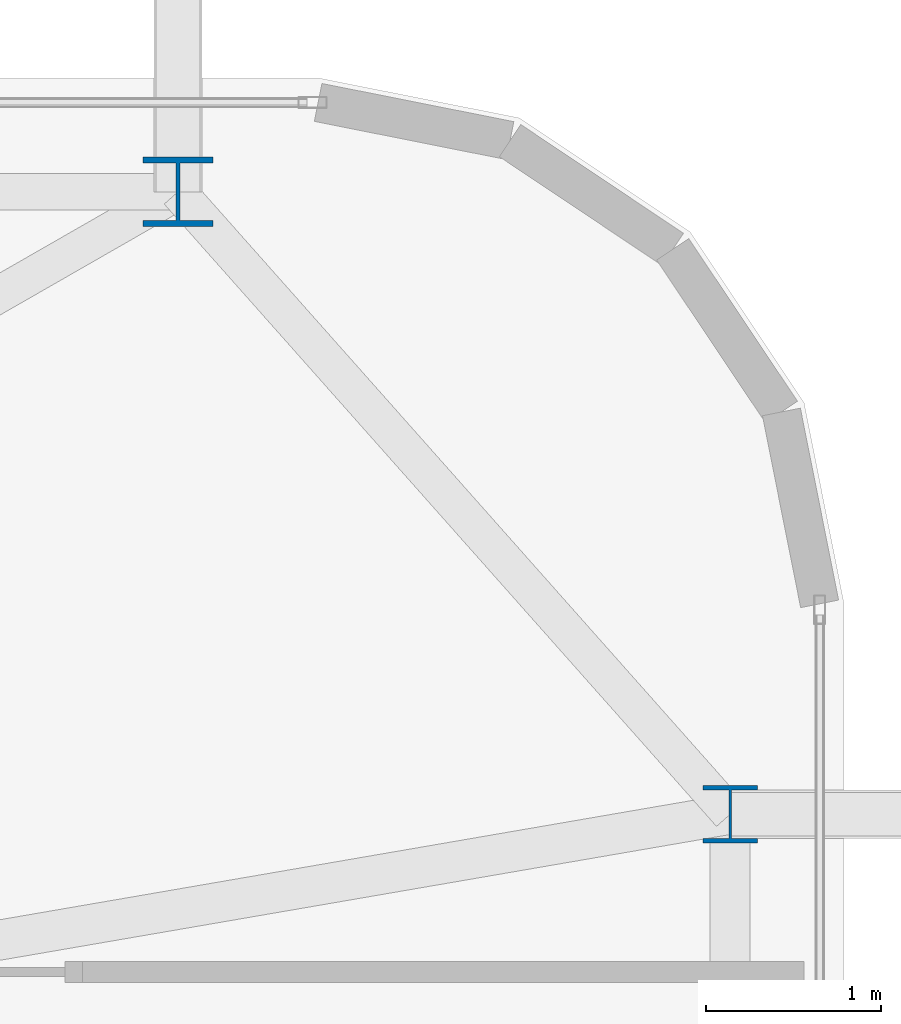
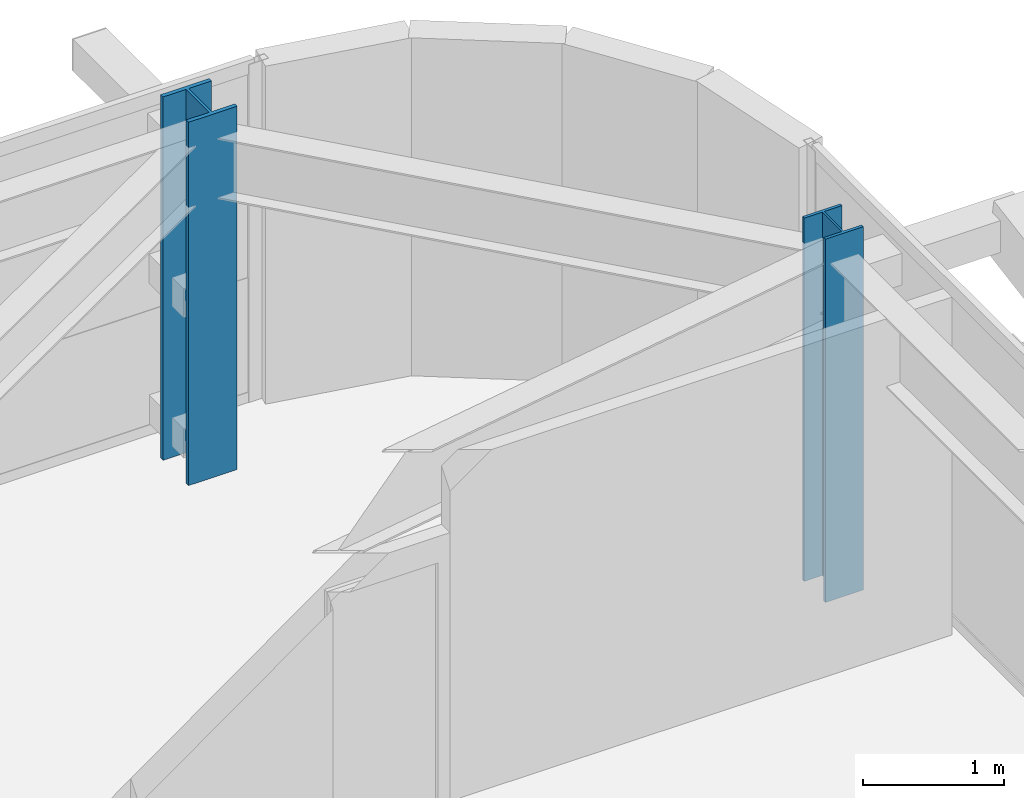
# One storey, part 4 of 59: 2 columns.
"""IFC4 building model written with IfcOpenShell, lengths in metres."""

from ifc_helpers import new_model, si_unit, direction, frame, origin, origin_2d, place, context, subcontext, project, spatial, i_section, extrude, source, transform, mapped, material, material_profile, profile_set, type_object, element, save


model = new_model("IFC4")

# Units and contexts
model_context = context("Model", 3, precision=1e-05, world=origin(), true_north=direction((0.0, 1.0)))
body_context = subcontext(model_context, "Body", "Model", "MODEL_VIEW")
ifc_project = project(units=[si_unit("LENGTHUNIT", "METRE"), si_unit("AREAUNIT", "SQUARE_METRE"), si_unit("VOLUMEUNIT", "CUBIC_METRE"), si_unit("PLANEANGLEUNIT", "RADIAN"), si_unit("MASSUNIT", "GRAM", prefix="KILO")], contexts=[model_context])

# Site, building, storey
site_placement = place(None, origin())
site = spatial("IfcSite", under=ifc_project, at=site_placement, CompositionType="ELEMENT")
building_placement = place(site_placement, origin())
building = spatial("IfcBuilding", under=site, at=building_placement, Name="Taldren Reach Tower", CompositionType="ELEMENT")
storey_placement = place(building_placement, frame((0.0, 0.0, 19.949951171875)))
storey = spatial("IfcBuildingStorey", under=building, at=storey_placement, Name="L05", CompositionType="ELEMENT", Elevation=19.949951171875)

# Columns
ifc_material = material(Name="Steel Gr 350 (350PLUS)", Category="steel")
ifc_material_profile_1 = material_profile(ifc_material, i_section(OverallWidth=0.39990234375, OverallDepth=0.39599609375, WebThickness=0.02197265625, FlangeThickness=0.033935546875, at=origin_2d()), Name="400WC270")
ifc_profile_set_1 = profile_set([ifc_material_profile_1], Name="Steel Gr 350 (350PLUS)")
column_type_1 = type_object("IfcColumnType", Name="COL-WC400", PredefinedType="COLUMN", material=ifc_profile_set_1)
shared_shape_1 = source(origin(), body_context, "Body", "SweptSolid", [
    extrude(i_section(OverallWidth=0.39990234375, OverallDepth=0.39599609375, WebThickness=0.02197265625, FlangeThickness=0.033935546875, at=origin_2d()), origin(), (0.0, 0.0, 1.0), 3.150146484375),
])
column_1_placement = place(storey_placement, frame((61.199951171875, 37.85009765625, 0.0), z_axis=(0.0, 0.0, 1.0), x_axis=(1.0, 0.0, 0.0)))
element("IfcColumn", 1, at=column_1_placement, inside=storey, type_object=column_type_1, Name="Block B1 perimeter column N6 L05", PredefinedType="COLUMN", context=body_context, shape_type="MappedRepresentation", body=[
    mapped(shared_shape_1, transform((0.0, 0.0, 0.0), scale=1.0)),
])
ifc_material_profile_2 = material_profile(ifc_material, i_section(OverallWidth=0.31103515625, OverallDepth=0.326904296875, WebThickness=0.015625, FlangeThickness=0.02490234375, at=origin_2d()), Name="310UC158")
ifc_profile_set_2 = profile_set([ifc_material_profile_2], Name="Steel Gr 350 (350PLUS)")
column_type_2 = type_object("IfcColumnType", Name="COL-UC310A", PredefinedType="COLUMN", material=ifc_profile_set_2)
shared_shape_2 = source(origin(), body_context, "Body", "SweptSolid", [
    extrude(i_section(OverallWidth=0.31103515625, OverallDepth=0.326904296875, WebThickness=0.015625, FlangeThickness=0.02490234375, at=origin_2d()), origin(), (0.0, 0.0, 1.0), 3.150146484375),
])
column_2_placement = place(storey_placement, frame((64.35009765625, 34.300048828125, 0.0), z_axis=(0.0, 0.0, 1.0), x_axis=(1.0, 0.0, 0.0)))
element("IfcColumn", 2, at=column_2_placement, inside=storey, type_object=column_type_2, Name="Block B1 perimeter column E3 L05", PredefinedType="COLUMN", context=body_context, shape_type="MappedRepresentation", body=[
    mapped(shared_shape_2, transform((0.0, 0.0, 0.0), scale=1.0)),
])

save(model, "model.ifc")
